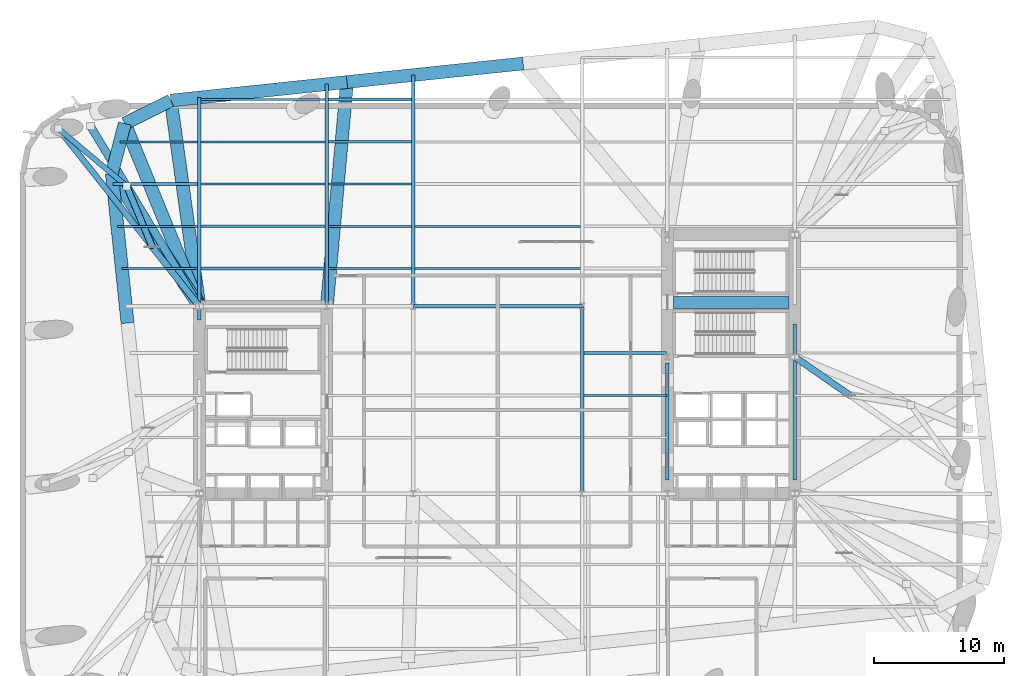
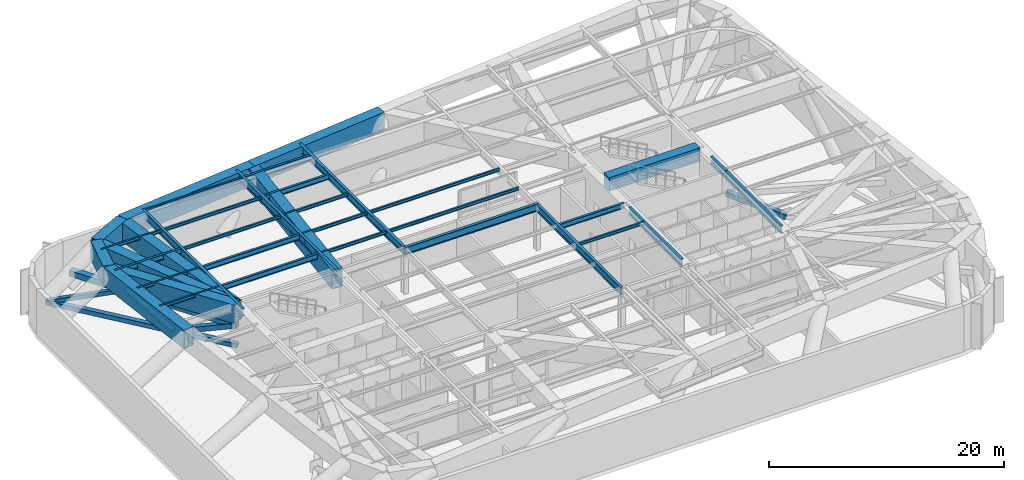
# One storey, part 4 of 16: 36 beams, 6 members.
"""IFC4 building model written with IfcOpenShell, lengths in metres."""

from ifc_helpers import new_model, si_unit, direction, frame, origin, origin_2d, place, context, subcontext, project, spatial, rectangle, hollow_rectangle, hollow_circle, i_section, extrude, material, material_profile, profile_set, type_object, element, save


model = new_model("IFC4")

# Units and contexts
model_context = context("Model", 3, precision=1e-05, world=origin(), true_north=direction((0.0, 1.0)))
body_context = subcontext(model_context, "Body", "Model", "MODEL_VIEW")
ifc_project = project(units=[si_unit("LENGTHUNIT", "METRE"), si_unit("AREAUNIT", "SQUARE_METRE"), si_unit("VOLUMEUNIT", "CUBIC_METRE"), si_unit("PLANEANGLEUNIT", "RADIAN"), si_unit("MASSUNIT", "GRAM", prefix="KILO")], contexts=[model_context])

# Site, building, storey
site_placement = place(None, origin())
site = spatial("IfcSite", under=ifc_project, at=site_placement, CompositionType="ELEMENT")
building_placement = place(site_placement, origin())
building = spatial("IfcBuilding", under=site, at=building_placement, Name="Kolvaren Arena Tower", CompositionType="ELEMENT")
storey_placement = place(building_placement, frame((0.0, 0.0, 94.5)))
storey = spatial("IfcBuildingStorey", under=building, at=storey_placement, Name="L21", CompositionType="ELEMENT", Elevation=94.5)

# Beams
ifc_material_1 = material(Name="Steel CSA G40.21 350W", Category="steel")
ifc_material_profile_1 = material_profile(ifc_material_1, i_section(OverallWidth=0.2119140625, OverallDepth=0.54296875, WebThickness=0.01318359375, FlangeThickness=0.0244140625, FilletRadius=0.013916015625, at=origin_2d()), Name="W530x150")
ifc_profile_set_1 = profile_set([ifc_material_profile_1], Name="Steel CSA G40.21 350W")
beam_type_1 = type_object("IfcBeamType", Name="BEAM-F1", PredefinedType="BEAM", material=ifc_profile_set_1)
beam_1_placement = place(storey_placement, frame((44.135009765625, 30.25, 4.478515625), z_axis=(1.0, 0.0, 0.0), x_axis=(0.0, 1.0, 0.0)))
element("IfcBeam", 1, at=beam_1_placement, inside=storey, type_object=beam_type_1, Name="Composite Floor Beam (L21)", PredefinedType="BEAM", context=body_context, shape_type="SweptSolid", body=[
    extrude(i_section(OverallWidth=0.2119140625, OverallDepth=0.54296875, WebThickness=0.01318359375, FlangeThickness=0.0244140625, FilletRadius=0.013916015625, at=origin_2d()), origin(), (0.0, 0.0, 1.0), 6.344970703125),
])
for number, where, z_axis, x_axis, name in (
    (2, (14.68505859375, 36.75, 4.478515625), (1.0, 0.0, 0.0), (0.0, 1.0, 0.0), "Composite Floor Beam (L21)"),
    (3, (14.68505859375, 40.0, 4.478515625), (1.0, 0.0, 0.0), (0.0, 1.0, 0.0), "Composite Floor Beam (L21)"),
):
    element("IfcBeam", number, at=place(storey_placement, frame(where, z_axis=z_axis, x_axis=x_axis)), inside=storey, type_object=beam_type_1, Name=name, PredefinedType="BEAM", context=body_context, shape_type="SweptSolid", body=[
        extrude(i_section(OverallWidth=0.2119140625, OverallDepth=0.54296875, WebThickness=0.01318359375, FlangeThickness=0.0244140625, FilletRadius=0.013916015625, at=origin_2d()), origin(), (0.0, 0.0, 1.0), 9.530029296875),
    ])
beam_2_placement = place(storey_placement, frame((7.900146484375, 43.25, 4.478515625), z_axis=(1.0, 0.0, 0.0), x_axis=(0.0, 1.0, 0.0)))
element("IfcBeam", 4, at=beam_2_placement, inside=storey, type_object=beam_type_1, Name="Composite Floor Beam (L21)", PredefinedType="BEAM", context=body_context, shape_type="SweptSolid", body=[
    extrude(i_section(OverallWidth=0.2119140625, OverallDepth=0.54296875, WebThickness=0.01318359375, FlangeThickness=0.0244140625, FilletRadius=0.013916015625, at=origin_2d()), origin(), (0.0, 0.0, 1.0), 6.514892578125),
])
for number, where, z_axis, x_axis, name in (
    (5, (24.485107421875, 46.5, 4.478515625), (1.0, 0.0, 0.0), (0.0, 1.0, 0.0), "Composite Floor Beam (L21)"),
    (6, (24.485107421875, 49.75, 4.478515625), (1.0, 0.0, 0.0), (0.0, 1.0, 0.0), "Composite Floor Beam (L21)"),
):
    element("IfcBeam", number, at=place(storey_placement, frame(where, z_axis=z_axis, x_axis=x_axis)), inside=storey, type_object=beam_type_1, Name=name, PredefinedType="BEAM", context=body_context, shape_type="SweptSolid", body=[
        extrude(i_section(OverallWidth=0.2119140625, OverallDepth=0.54296875, WebThickness=0.01318359375, FlangeThickness=0.0244140625, FilletRadius=0.013916015625, at=origin_2d()), origin(), (0.0, 0.0, 1.0), 6.3798828125),
    ])

# Members
ifc_material_2 = material(Name="Steel CSA G40.21 350WT", Category="steel")
ifc_material_profile_2 = material_profile(ifc_material_2, hollow_rectangle(XDim=0.449951171875, YDim=0.449951171875, WallThickness=0.02001953125, at=origin_2d()), Name="HSS 450x450x20")
ifc_profile_set_2 = profile_set([ifc_material_profile_2], Name="Steel CSA G40.21 350WT")
member_type_1 = type_object("IfcMemberType", Name="BELT-CHORD", PredefinedType="CHORD", material=ifc_profile_set_2)
member_1_placement = place(storey_placement, frame((14.550048828125, 33.85009765625, 0.35009765625), z_axis=(-0.621972154523, 0.783039359801, 0.0), x_axis=(-0.783039359801, -0.621972154523, 0.0)))
element("IfcMember", 7, at=member_1_placement, inside=storey, type_object=member_type_1, Name="Belt Truss Bottom Chord 2 (L21)", PredefinedType="CHORD", context=body_context, shape_type="SweptSolid", body=[
    extrude(hollow_rectangle(XDim=0.449951171875, YDim=0.449951171875, WallThickness=0.02001953125, at=origin_2d()), origin(), (0.0, 0.0, 1.0), 17.464599609375),
])
ifc_material_profile_3 = material_profile(ifc_material_2, hollow_rectangle(XDim=0.39990234375, YDim=0.39990234375, WallThickness=0.01611328125, at=origin_2d()), Name="HSS 400x400x16")
ifc_profile_set_3 = profile_set([ifc_material_profile_3], Name="Steel CSA G40.21 350WT")
member_type_2 = type_object("IfcMemberType", Name="BELT-DIAG", PredefinedType="BRACE", material=ifc_profile_set_3)
member_2_placement = place(storey_placement, frame((8.96142578125, 43.09033203125, 2.47998046875), z_axis=(-0.731203007525, 0.614932183951, -0.295297427907), x_axis=(-0.643634838728, -0.76533273442, 0.0)))
element("IfcMember", 8, at=member_2_placement, inside=storey, type_object=member_type_2, Name="Belt Truss Warren Diagonal C 2 (L21)", PredefinedType="BRACE", context=body_context, shape_type="SweptSolid", body=[
    extrude(hollow_rectangle(XDim=0.39990234375, YDim=0.39990234375, WallThickness=0.01611328125, at=origin_2d()), origin(), (0.0, 0.0, 1.0), 7.212646484375),
])

# Beam
ifc_material_3 = material(Name="Concrete 75 MPa", Category="concrete")
ifc_material_profile_4 = material_profile(ifc_material_3, rectangle(XDim=0.89990234375, YDim=1.39990234375, at=origin_2d()), Name="RC-900x1400")
ifc_profile_set_4 = profile_set([ifc_material_profile_4], Name="Concrete 75 MPa")
beam_type_2 = type_object("IfcBeamType", Name="CB-CORE-1", PredefinedType="BEAM", material=ifc_profile_set_4)
beam_3_placement = place(storey_placement, frame((51.0, 34.14990234375, 4.320068359375), z_axis=(1.0, 0.0, 0.0), x_axis=(0.0, 1.0, 0.0)))
element("IfcBeam", 9, at=beam_3_placement, inside=storey, type_object=beam_type_2, Name="East Core Coupling Beam (L21)", PredefinedType="BEAM", context=body_context, shape_type="SweptSolid", body=[
    extrude(rectangle(XDim=0.89990234375, YDim=1.39990234375, at=origin_2d()), origin(), (0.0, 0.0, 1.0), 8.89990234375),
])

# Member
ifc_material_profile_5 = material_profile(ifc_material_2, hollow_circle(Radius=0.25390625, WallThickness=0.02490234375, at=origin_2d()), Name="CHS 508x25")
ifc_profile_set_5 = profile_set([ifc_material_profile_5], Name="Steel CSA G40.21 350WT")
member_type_3 = type_object("IfcMemberType", Name="EXO-BRACE1", PredefinedType="BRACE", material=ifc_profile_set_5)
member_3_placement = place(storey_placement, frame((10.92919921875, 38.408447265625, 0.35009765625), z_axis=(-0.357313207362, 0.850148309872, 0.386749431889), x_axis=(-0.92188493466, -0.387463762495, 0.0)))
element("IfcMember", 10, at=member_3_placement, inside=storey, type_object=member_type_3, Name="Outrigger Warren Diagonal B 2 (L21)", PredefinedType="BRACE", context=body_context, shape_type="SweptSolid", body=[
    extrude(hollow_circle(Radius=0.25390625, WallThickness=0.02490234375, at=origin_2d()), origin(), (0.0, 0.0, 1.0), 5.507080078125),
])

# Beams
ifc_material_profile_6 = material_profile(ifc_material_1, i_section(OverallWidth=0.27001953125, OverallDepth=0.77294921875, WebThickness=0.019287109375, FlangeThickness=0.033447265625, FilletRadius=0.01806640625, at=origin_2d()), Name="W760x257")
ifc_profile_set_6 = profile_set([ifc_material_profile_6], Name="Steel CSA G40.21 350W")
beam_type_3 = type_object("IfcBeamType", Name="GIRD-T1", PredefinedType="BEAM", material=ifc_profile_set_6)
beam_4_placement = place(storey_placement, frame((31.0, 33.85009765625, 4.363525390625), z_axis=(1.0, 0.0, 0.0), x_axis=(0.0, 1.0, 0.0)))
element("IfcBeam", 11, at=beam_4_placement, inside=storey, type_object=beam_type_3, Name="Primary Floor Girder (L21)", PredefinedType="BEAM", context=body_context, shape_type="SweptSolid", body=[
    extrude(i_section(OverallWidth=0.27001953125, OverallDepth=0.77294921875, WebThickness=0.019287109375, FlangeThickness=0.033447265625, FilletRadius=0.01806640625, at=origin_2d()), origin(), (0.0, 0.0, 1.0), 13.0),
])
beam_5_placement = place(storey_placement, frame((14.550048828125, 32.7900390625, 4.363525390625), z_axis=(0.0, 1.0, 0.0), x_axis=(-1.0, 0.0, 0.0)))
element("IfcBeam", 12, at=beam_5_placement, inside=storey, type_object=beam_type_3, Name="Primary Floor Girder (L21)", PredefinedType="BEAM", context=body_context, shape_type="SweptSolid", body=[
    extrude(i_section(OverallWidth=0.27001953125, OverallDepth=0.77294921875, WebThickness=0.019287109375, FlangeThickness=0.033447265625, FilletRadius=0.01806640625, at=origin_2d()), origin(), (0.0, 0.0, 1.0), 17.11962890625),
])
beam_6_placement = place(storey_placement, frame((24.35009765625, 33.85009765625, 4.363525390625), z_axis=(0.0, 1.0, 0.0), x_axis=(-1.0, 0.0, 0.0)))
element("IfcBeam", 13, at=beam_6_placement, inside=storey, type_object=beam_type_3, Name="Primary Floor Girder (L21)", PredefinedType="BEAM", context=body_context, shape_type="SweptSolid", body=[
    extrude(i_section(OverallWidth=0.27001953125, OverallDepth=0.77294921875, WebThickness=0.019287109375, FlangeThickness=0.033447265625, FilletRadius=0.01806640625, at=origin_2d()), origin(), (0.0, 0.0, 1.0), 17.089599609375),
])
beam_7_placement = place(storey_placement, frame((31.0, 33.85009765625, 4.363525390625), z_axis=(0.0, 1.0, 0.0), x_axis=(-1.0, 0.0, 0.0)))
element("IfcBeam", 14, at=beam_7_placement, inside=storey, type_object=beam_type_3, Name="Primary Floor Girder (L21)", PredefinedType="BEAM", context=body_context, shape_type="SweptSolid", body=[
    extrude(i_section(OverallWidth=0.27001953125, OverallDepth=0.77294921875, WebThickness=0.019287109375, FlangeThickness=0.033447265625, FilletRadius=0.01806640625, at=origin_2d()), origin(), (0.0, 0.0, 1.0), 17.788330078125),
])
beam_8_placement = place(storey_placement, frame((44.0, 19.449951171875, 4.363525390625), z_axis=(0.0, 1.0, 0.0), x_axis=(-1.0, 0.0, 0.0)))
element("IfcBeam", 15, at=beam_8_placement, inside=storey, type_object=beam_type_3, Name="Primary Floor Girder (L21)", PredefinedType="BEAM", context=body_context, shape_type="SweptSolid", body=[
    extrude(i_section(OverallWidth=0.27001953125, OverallDepth=0.77294921875, WebThickness=0.019287109375, FlangeThickness=0.033447265625, FilletRadius=0.01806640625, at=origin_2d()), origin(), (0.0, 0.0, 1.0), 14.400146484375),
])
beam_9_placement = place(storey_placement, frame((50.550048828125, 20.5, 4.363525390625), z_axis=(0.0, 1.0, 0.0), x_axis=(-1.0, 0.0, 0.0)))
element("IfcBeam", 16, at=beam_9_placement, inside=storey, type_object=beam_type_3, Name="Primary Floor Girder (L21)", PredefinedType="BEAM", context=body_context, shape_type="SweptSolid", body=[
    extrude(i_section(OverallWidth=0.27001953125, OverallDepth=0.77294921875, WebThickness=0.019287109375, FlangeThickness=0.033447265625, FilletRadius=0.01806640625, at=origin_2d()), origin(), (0.0, 0.0, 1.0), 8.989990234375),
])
beam_10_placement = place(storey_placement, frame((60.35009765625, 20.5, 4.363525390625), z_axis=(0.0, 1.0, 0.0), x_axis=(-1.0, 0.0, 0.0)))
element("IfcBeam", 17, at=beam_10_placement, inside=storey, type_object=beam_type_3, Name="Primary Floor Girder (L21)", PredefinedType="BEAM", context=body_context, shape_type="SweptSolid", body=[
    extrude(i_section(OverallWidth=0.27001953125, OverallDepth=0.77294921875, WebThickness=0.019287109375, FlangeThickness=0.033447265625, FilletRadius=0.01806640625, at=origin_2d()), origin(), (0.0, 0.0, 1.0), 9.449951171875),
])
beam_11_placement = place(storey_placement, frame((60.35009765625, 29.949951171875, 4.363525390625), z_axis=(0.0, 1.0, 0.0), x_axis=(-1.0, 0.0, 0.0)))
element("IfcBeam", 18, at=beam_11_placement, inside=storey, type_object=beam_type_3, Name="Primary Floor Girder (L21)", PredefinedType="BEAM", context=body_context, shape_type="SweptSolid", body=[
    extrude(i_section(OverallWidth=0.27001953125, OverallDepth=0.77294921875, WebThickness=0.019287109375, FlangeThickness=0.033447265625, FilletRadius=0.01806640625, at=origin_2d()), origin(), (0.0, 0.0, 1.0), 2.550048828125),
])
ifc_material_profile_7 = material_profile(ifc_material_1, i_section(OverallWidth=0.1669921875, OverallDepth=0.31689453125, WebThickness=0.007568359375, FlangeThickness=0.01318359375, FilletRadius=0.010009765625, at=origin_2d()), Name="W310x52")
ifc_profile_set_7 = profile_set([ifc_material_profile_7], Name="Steel CSA G40.21 350W")
beam_type_4 = type_object("IfcBeamType", Name="JOIST-02", PredefinedType="JOIST", material=ifc_profile_set_7)
beam_12_placement = place(storey_placement, frame((44.135009765625, 27.0, 4.591552734375), z_axis=(1.0, 0.0, 0.0), x_axis=(0.0, 1.0, 0.0)))
element("IfcBeam", 19, at=beam_12_placement, inside=storey, type_object=beam_type_4, Name="Composite Floor Joist (L21)", PredefinedType="JOIST", context=body_context, shape_type="SweptSolid", body=[
    extrude(i_section(OverallWidth=0.1669921875, OverallDepth=0.31689453125, WebThickness=0.007568359375, FlangeThickness=0.01318359375, FilletRadius=0.010009765625, at=origin_2d()), origin(), (0.0, 0.0, 1.0), 6.39501953125),
])
beam_13_placement = place(storey_placement, frame((8.58349609375, 36.75, 4.591552734375), z_axis=(1.0, 0.0, 0.0), x_axis=(0.0, 1.0, 0.0)))
element("IfcBeam", 20, at=beam_13_placement, inside=storey, type_object=beam_type_4, Name="Composite Floor Joist (L21)", PredefinedType="JOIST", context=body_context, shape_type="SweptSolid", body=[
    extrude(i_section(OverallWidth=0.1669921875, OverallDepth=0.31689453125, WebThickness=0.007568359375, FlangeThickness=0.01318359375, FilletRadius=0.010009765625, at=origin_2d()), origin(), (0.0, 0.0, 1.0), 5.83154296875),
])
beam_14_placement = place(storey_placement, frame((24.485107421875, 36.75, 4.591552734375), z_axis=(1.0, 0.0, 0.0), x_axis=(0.0, 1.0, 0.0)))
element("IfcBeam", 21, at=beam_14_placement, inside=storey, type_object=beam_type_4, Name="Composite Floor Joist (L21)", PredefinedType="JOIST", context=body_context, shape_type="SweptSolid", body=[
    extrude(i_section(OverallWidth=0.1669921875, OverallDepth=0.31689453125, WebThickness=0.007568359375, FlangeThickness=0.01318359375, FilletRadius=0.010009765625, at=origin_2d()), origin(), (0.0, 0.0, 1.0), 6.3798828125),
])
beam_15_placement = place(storey_placement, frame((31.135009765625, 36.75, 4.591552734375), z_axis=(1.0, 0.0, 0.0), x_axis=(0.0, 1.0, 0.0)))
element("IfcBeam", 22, at=beam_15_placement, inside=storey, type_object=beam_type_4, Name="Composite Floor Joist (L21)", PredefinedType="JOIST", context=body_context, shape_type="SweptSolid", body=[
    extrude(i_section(OverallWidth=0.1669921875, OverallDepth=0.31689453125, WebThickness=0.007568359375, FlangeThickness=0.01318359375, FilletRadius=0.010009765625, at=origin_2d()), origin(), (0.0, 0.0, 1.0), 12.72998046875),
])
beam_16_placement = place(storey_placement, frame((8.24169921875, 40.0, 4.591552734375), z_axis=(1.0, 0.0, 0.0), x_axis=(0.0, 1.0, 0.0)))
element("IfcBeam", 23, at=beam_16_placement, inside=storey, type_object=beam_type_4, Name="Composite Floor Joist (L21)", PredefinedType="JOIST", context=body_context, shape_type="SweptSolid", body=[
    extrude(i_section(OverallWidth=0.1669921875, OverallDepth=0.31689453125, WebThickness=0.007568359375, FlangeThickness=0.01318359375, FilletRadius=0.010009765625, at=origin_2d()), origin(), (0.0, 0.0, 1.0), 6.17333984375),
])
beam_17_placement = place(storey_placement, frame((24.485107421875, 40.0, 4.591552734375), z_axis=(1.0, 0.0, 0.0), x_axis=(0.0, 1.0, 0.0)))
element("IfcBeam", 24, at=beam_17_placement, inside=storey, type_object=beam_type_4, Name="Composite Floor Joist (L21)", PredefinedType="JOIST", context=body_context, shape_type="SweptSolid", body=[
    extrude(i_section(OverallWidth=0.1669921875, OverallDepth=0.31689453125, WebThickness=0.007568359375, FlangeThickness=0.01318359375, FilletRadius=0.010009765625, at=origin_2d()), origin(), (0.0, 0.0, 1.0), 6.3798828125),
])
beam_18_placement = place(storey_placement, frame((31.135009765625, 40.0, 4.591552734375), z_axis=(1.0, 0.0, 0.0), x_axis=(0.0, 1.0, 0.0)))
element("IfcBeam", 25, at=beam_18_placement, inside=storey, type_object=beam_type_4, Name="Composite Floor Joist (L21)", PredefinedType="JOIST", context=body_context, shape_type="SweptSolid", body=[
    extrude(i_section(OverallWidth=0.1669921875, OverallDepth=0.31689453125, WebThickness=0.007568359375, FlangeThickness=0.01318359375, FilletRadius=0.010009765625, at=origin_2d()), origin(), (0.0, 0.0, 1.0), 12.72998046875),
])
beam_19_placement = place(storey_placement, frame((14.68505859375, 43.25, 4.591552734375), z_axis=(1.0, 0.0, 0.0), x_axis=(0.0, 1.0, 0.0)))
element("IfcBeam", 26, at=beam_19_placement, inside=storey, type_object=beam_type_4, Name="Composite Floor Joist (L21)", PredefinedType="JOIST", context=body_context, shape_type="SweptSolid", body=[
    extrude(i_section(OverallWidth=0.1669921875, OverallDepth=0.31689453125, WebThickness=0.007568359375, FlangeThickness=0.01318359375, FilletRadius=0.010009765625, at=origin_2d()), origin(), (0.0, 0.0, 1.0), 9.530029296875),
])
beam_20_placement = place(storey_placement, frame((24.485107421875, 43.25, 4.591552734375), z_axis=(1.0, 0.0, 0.0), x_axis=(0.0, 1.0, 0.0)))
element("IfcBeam", 27, at=beam_20_placement, inside=storey, type_object=beam_type_4, Name="Composite Floor Joist (L21)", PredefinedType="JOIST", context=body_context, shape_type="SweptSolid", body=[
    extrude(i_section(OverallWidth=0.1669921875, OverallDepth=0.31689453125, WebThickness=0.007568359375, FlangeThickness=0.01318359375, FilletRadius=0.010009765625, at=origin_2d()), origin(), (0.0, 0.0, 1.0), 6.3798828125),
])
beam_21_placement = place(storey_placement, frame((8.444091796875, 46.5, 4.591552734375), z_axis=(1.0, 0.0, 0.0), x_axis=(0.0, 1.0, 0.0)))
element("IfcBeam", 28, at=beam_21_placement, inside=storey, type_object=beam_type_4, Name="Composite Floor Joist (L21)", PredefinedType="JOIST", context=body_context, shape_type="SweptSolid", body=[
    extrude(i_section(OverallWidth=0.1669921875, OverallDepth=0.31689453125, WebThickness=0.007568359375, FlangeThickness=0.01318359375, FilletRadius=0.010009765625, at=origin_2d()), origin(), (0.0, 0.0, 1.0), 5.970947265625),
])
for number, where, z_axis, x_axis, name in (
    (29, (14.68505859375, 46.5, 4.591552734375), (1.0, 0.0, 0.0), (0.0, 1.0, 0.0), "Composite Floor Joist (L21)"),
    (30, (14.68505859375, 49.75, 4.591552734375), (1.0, 0.0, 0.0), (0.0, 1.0, 0.0), "Composite Floor Joist (L21)"),
):
    element("IfcBeam", number, at=place(storey_placement, frame(where, z_axis=z_axis, x_axis=x_axis)), inside=storey, type_object=beam_type_4, Name=name, PredefinedType="JOIST", context=body_context, shape_type="SweptSolid", body=[
        extrude(i_section(OverallWidth=0.1669921875, OverallDepth=0.31689453125, WebThickness=0.007568359375, FlangeThickness=0.01318359375, FilletRadius=0.010009765625, at=origin_2d()), origin(), (0.0, 0.0, 1.0), 9.530029296875),
    ])

# Members
ifc_material_profile_8 = material_profile(ifc_material_2, hollow_rectangle(XDim=0.60009765625, YDim=0.60009765625, WallThickness=0.02490234375, at=origin_2d()), Name="HSS 600x600x25")
ifc_profile_set_8 = profile_set([ifc_material_profile_8], Name="Steel CSA G40.21 350WT")
member_type_4 = type_object("IfcMemberType", Name="OUT-CHORD", PredefinedType="CHORD", material=ifc_profile_set_8)
member_4_placement = place(storey_placement, frame((14.550048828125, 33.85009765625, 2.47998046875), z_axis=(-0.517526880178, 0.855666949398, 0.0), x_axis=(-0.855666949398, -0.517526880178, 0.0)))
element("IfcMember", 31, at=member_4_placement, inside=storey, type_object=member_type_4, Name="Outrigger Top Chord 2 (L21)", PredefinedType="CHORD", context=body_context, shape_type="SweptSolid", body=[
    extrude(hollow_rectangle(XDim=0.60009765625, YDim=0.60009765625, WallThickness=0.02490234375, at=origin_2d()), origin(), (0.0, 0.0, 1.0), 16.1982421875),
])
ifc_material_profile_9 = material_profile(ifc_material_2, hollow_rectangle(XDim=0.5, YDim=0.5, WallThickness=0.02197265625, at=origin_2d()), Name="HSS 500x500x22")
ifc_profile_set_9 = profile_set([ifc_material_profile_9], Name="Steel CSA G40.21 350WT")
member_type_5 = type_object("IfcMemberType", Name="OUT-DIAG", PredefinedType="BRACE", material=ifc_profile_set_9)
member_5_placement = place(storey_placement, frame((14.550048828125, 33.85009765625, 2.47998046875), z_axis=(-0.584118150612, 0.73535634752, -0.343594278601), x_axis=(-0.783028543833, -0.621985771174, 0.0)))
element("IfcMember", 32, at=member_5_placement, inside=storey, type_object=member_type_5, Name="Outrigger Warren Diagonal A 2 (L21)", PredefinedType="BRACE", context=body_context, shape_type="SweptSolid", body=[
    extrude(hollow_rectangle(XDim=0.5, YDim=0.5, WallThickness=0.02197265625, at=origin_2d()), origin(), (0.0, 0.0, 1.0), 6.19873046875),
])
member_6_placement = place(storey_placement, frame((60.35009765625, 29.949951171875, 2.47998046875), z_axis=(0.75768566318, -0.526270137747, -0.385943231482), x_axis=(0.570468600478, 0.821319411599, 0.0)))
element("IfcMember", 33, at=member_6_placement, inside=storey, type_object=member_type_5, Name="Outrigger Warren Diagonal A 6 (L21)", PredefinedType="BRACE", context=body_context, shape_type="SweptSolid", body=[
    extrude(hollow_rectangle(XDim=0.5, YDim=0.5, WallThickness=0.02197265625, at=origin_2d()), origin(), (0.0, 0.0, 1.0), 5.5185546875),
])

# Beams
ifc_material_profile_10 = material_profile(ifc_material_2, hollow_rectangle(XDim=1.0, YDim=1.919921875, WallThickness=0.044921875, at=origin_2d()), Name="BOX 1000x1920x45")
ifc_profile_set_10 = profile_set([ifc_material_profile_10], Name="Steel CSA G40.21 350WT")
beam_type_5 = type_object("IfcBeamType", Name="TG-MEGA", PredefinedType="USERDEFINED", material=ifc_profile_set_10)
beam_22_placement = place(storey_placement, frame((39.453369140625, 52.527099609375, 3.7900390625), z_axis=(-0.994520955135, -0.104537408603, 0.0), x_axis=(0.104537408603, -0.994520955135, 0.0)))
element("IfcBeam", 34, at=beam_22_placement, inside=storey, type_object=beam_type_5, Name="Perimeter Transfer Ring Girder 14 (L21)", ObjectType="TRANSFER GIRDER", PredefinedType="USERDEFINED", context=body_context, shape_type="SweptSolid", body=[
    extrude(hollow_rectangle(XDim=1.0, YDim=1.919921875, WallThickness=0.044921875, at=origin_2d()), origin(), (0.0, 0.0, 1.0), 13.625),
])
beam_23_placement = place(storey_placement, frame((25.903076171875, 51.102783203125, 3.7900390625), z_axis=(-0.994523013632, -0.104517823154, 0.0), x_axis=(0.104517823154, -0.994523013632, 0.0)))
element("IfcBeam", 35, at=beam_23_placement, inside=storey, type_object=beam_type_5, Name="Perimeter Transfer Ring Girder 15 (L21)", ObjectType="TRANSFER GIRDER", PredefinedType="USERDEFINED", context=body_context, shape_type="SweptSolid", body=[
    extrude(hollow_rectangle(XDim=1.0, YDim=1.919921875, WallThickness=0.044921875, at=origin_2d()), origin(), (0.0, 0.0, 1.0), 13.625244140625),
])
beam_24_placement = place(storey_placement, frame((25.903076171875, 51.102783203125, 3.7900390625), z_axis=(-0.089651260719, -0.99597321824, 0.0), x_axis=(0.99597321824, -0.089651260719, 0.0)))
element("IfcBeam", 36, at=beam_24_placement, inside=storey, type_object=beam_type_5, Name="Cantilever Block Transfer Girder 15 (L21)", ObjectType="TRANSFER GIRDER", PredefinedType="USERDEFINED", context=body_context, shape_type="SweptSolid", body=[
    extrude(hollow_rectangle(XDim=1.0, YDim=1.919921875, WallThickness=0.044921875, at=origin_2d()), origin(), (0.0, 0.0, 1.0), 17.322509765625),
])
beam_25_placement = place(storey_placement, frame((12.3525390625, 49.6787109375, 3.7900390625), z_axis=(-0.894427191, -0.4472135955, 0.0), x_axis=(0.4472135955, -0.894427191, 0.0)))
element("IfcBeam", 37, at=beam_25_placement, inside=storey, type_object=beam_type_5, Name="Perimeter Transfer Ring Girder 16 (L21)", ObjectType="TRANSFER GIRDER", PredefinedType="USERDEFINED", context=body_context, shape_type="SweptSolid", body=[
    extrude(hollow_rectangle(XDim=1.0, YDim=1.919921875, WallThickness=0.044921875, at=origin_2d()), origin(), (0.0, 0.0, 1.0), 3.961181640625),
])
beam_26_placement = place(storey_placement, frame((12.3525390625, 49.6787109375, 3.7900390625), z_axis=(0.137512581083, -0.990500020214, 0.0), x_axis=(0.990500020214, 0.137512581083, 0.0)))
element("IfcBeam", 38, at=beam_26_placement, inside=storey, type_object=beam_type_5, Name="Cantilever Block Transfer Girder 16 (L21)", ObjectType="TRANSFER GIRDER", PredefinedType="USERDEFINED", context=body_context, shape_type="SweptSolid", body=[
    extrude(hollow_rectangle(XDim=1.0, YDim=1.919921875, WallThickness=0.044921875, at=origin_2d()), origin(), (0.0, 0.0, 1.0), 15.98046875),
])
beam_27_placement = place(storey_placement, frame((8.8095703125, 47.9072265625, 3.7900390625), z_axis=(-0.25141561169, -0.96787922294, 0.0), x_axis=(0.96787922294, -0.25141561169, 0.0)))
element("IfcBeam", 39, at=beam_27_placement, inside=storey, type_object=beam_type_5, Name="Perimeter Transfer Ring Girder 17 (L21)", ObjectType="TRANSFER GIRDER", PredefinedType="USERDEFINED", context=body_context, shape_type="SweptSolid", body=[
    extrude(hollow_rectangle(XDim=1.0, YDim=1.919921875, WallThickness=0.044921875, at=origin_2d()), origin(), (0.0, 0.0, 1.0), 3.9609375),
])
beam_28_placement = place(storey_placement, frame((8.8095703125, 47.9072265625, 3.7900390625), z_axis=(0.378059288681, -0.925781385772, 0.0), x_axis=(0.925781385772, 0.378059288681, 0.0)))
element("IfcBeam", 40, at=beam_28_placement, inside=storey, type_object=beam_type_5, Name="Cantilever Block Transfer Girder 17 (L21)", ObjectType="TRANSFER GIRDER", PredefinedType="USERDEFINED", context=body_context, shape_type="SweptSolid", body=[
    extrude(hollow_rectangle(XDim=1.0, YDim=1.919921875, WallThickness=0.044921875, at=origin_2d()), origin(), (0.0, 0.0, 1.0), 15.18408203125),
])
beam_29_placement = place(storey_placement, frame((7.813720703125, 44.073486328125, 3.7900390625), z_axis=(0.104524366116, -0.994522325988, 0.0), x_axis=(0.994522325988, 0.104524366116, 0.0)))
element("IfcBeam", 41, at=beam_29_placement, inside=storey, type_object=beam_type_5, Name="Perimeter Transfer Ring Girder 18 (L21)", ObjectType="TRANSFER GIRDER", PredefinedType="USERDEFINED", context=body_context, shape_type="SweptSolid", body=[
    extrude(hollow_rectangle(XDim=1.0, YDim=1.919921875, WallThickness=0.044921875, at=origin_2d()), origin(), (0.0, 0.0, 1.0), 11.566650390625),
])
beam_30_placement = place(storey_placement, frame((7.813720703125, 44.073486328125, 3.7900390625), z_axis=(0.550210041375, -0.835026293221, 0.0), x_axis=(0.835026293221, 0.550210041375, 0.0)))
element("IfcBeam", 42, at=beam_30_placement, inside=storey, type_object=beam_type_5, Name="Cantilever Block Transfer Girder 18 (L21)", ObjectType="TRANSFER GIRDER", PredefinedType="USERDEFINED", context=body_context, shape_type="SweptSolid", body=[
    extrude(hollow_rectangle(XDim=1.0, YDim=1.919921875, WallThickness=0.044921875, at=origin_2d()), origin(), (0.0, 0.0, 1.0), 12.2431640625),
])

save(model, "model.ifc")
